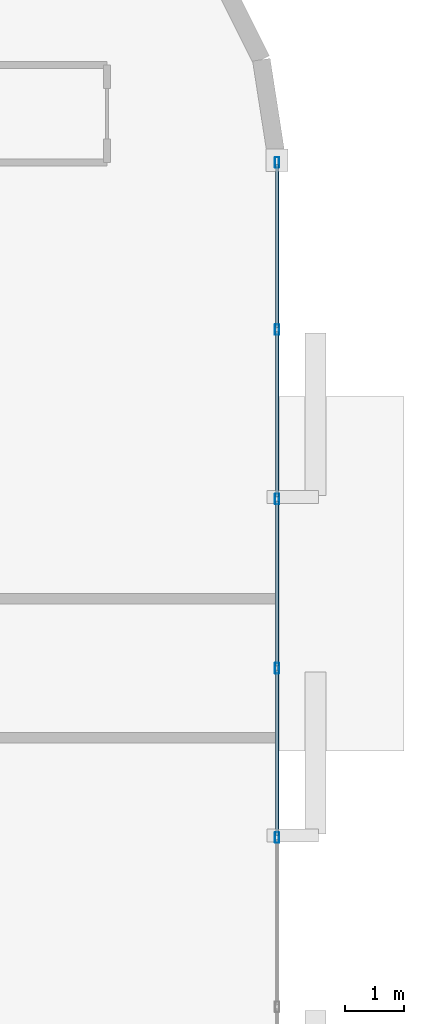
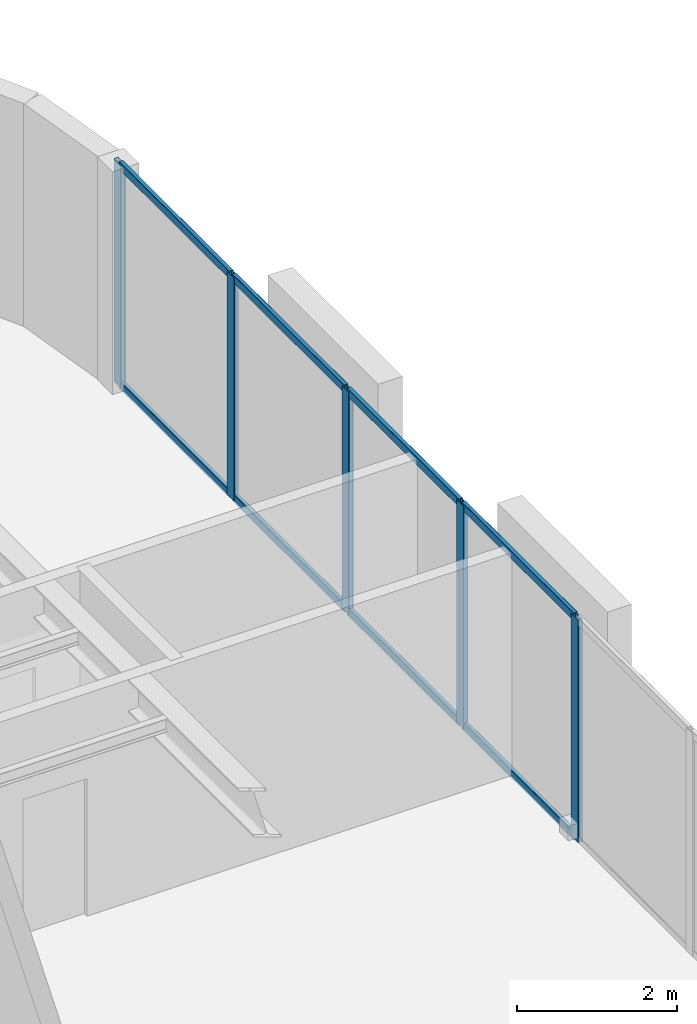
# One storey, part 6 of 16: 13 members, 1 element without a shape of its own.
"""IFC4 building model written with IfcOpenShell, lengths in metres."""

from ifc_helpers import new_model, si_unit, direction, frame, origin, origin_2d, place, context, subcontext, project, spatial, hollow_rectangle, extrude, material, layer, layer_set, material_profile, profile_set, type_object, element, aggregate, save


model = new_model("IFC4")

# Units and contexts
model_context = context("Model", 3, precision=1e-05, world=origin(), true_north=direction((0.0, 1.0)))
body_context = subcontext(model_context, "Body", "Model", "MODEL_VIEW")
ifc_project = project(units=[si_unit("LENGTHUNIT", "METRE"), si_unit("AREAUNIT", "SQUARE_METRE"), si_unit("VOLUMEUNIT", "CUBIC_METRE"), si_unit("PLANEANGLEUNIT", "RADIAN"), si_unit("MASSUNIT", "GRAM", prefix="KILO")], contexts=[model_context])

# Site, building, storey
site_placement = place(None, origin())
site = spatial("IfcSite", under=ifc_project, at=site_placement, CompositionType="ELEMENT")
building_placement = place(site_placement, origin())
building = spatial("IfcBuilding", under=site, at=building_placement, Name="An Khanh Terracotta Commons", CompositionType="ELEMENT")
storey_placement = place(building_placement, frame((0.0, 0.0, 97.10009765625)))
storey = spatial("IfcBuildingStorey", under=building, at=storey_placement, Name="L25", CompositionType="ELEMENT", Elevation=97.10009765625)

# Curtain wall, members
ifc_material = material(Name="Anodised Aluminium 6063-T6", Category="aluminium")
ifc_layer = layer(ifc_material, 0.199951171875, Name="Anodised Aluminium 6063-T6")
ifc_layer_set = layer_set([ifc_layer], Name="Anodised Aluminium 6063-T6")
curtain_wall_type = type_object("IfcCurtainWallType", Name="CW-SYS-02", PredefinedType="USERDEFINED", material=ifc_layer_set)
curtain_wall_placement = place(storey_placement, origin())
curtain_wall = element("IfcCurtainWall", 1, at=curtain_wall_placement, inside=storey, type_object=curtain_wall_type, Name="L25 CW-02 Unitised Curtain Wall CW-L25-12", ObjectType="UNITISED CURTAIN WALL", PredefinedType="USERDEFINED")
ifc_material_profile_1 = material_profile(ifc_material, hollow_rectangle(XDim=0.070068359375, YDim=0.179931640625, WallThickness=0.00390625, InnerFilletRadius=0.00390625, OuterFilletRadius=0.008056640625, at=origin_2d()), Name="RHS180x70x4")
ifc_profile_set_1 = profile_set([ifc_material_profile_1], Name="Anodised Aluminium 6063-T6")
member_type_1 = type_object("IfcMemberType", Name="CWM-RHS180x70x4", PredefinedType="MULLION", material=ifc_profile_set_1)
member_1_placement = place(storey_placement, frame((57.39990234375, 21.13330078125, 0.0), z_axis=(0.0, 0.0, 1.0), x_axis=(-1.0, 0.0, 0.0)))
member_1 = element("IfcMember", 2, at=member_1_placement, type_object=member_type_1, Name="CW-02 mullion 3", PredefinedType="MULLION", context=body_context, shape_type="SweptSolid", body=[
    extrude(hollow_rectangle(XDim=0.070068359375, YDim=0.179931640625, WallThickness=0.00390625, InnerFilletRadius=0.00390625, OuterFilletRadius=0.008056640625, at=origin_2d()), origin(), (0.0, 0.0, 1.0), 3.39990234375),
])
member_2_placement = place(storey_placement, frame((57.39990234375, 24.0, 0.0), z_axis=(0.0, 0.0, 1.0), x_axis=(-1.0, 0.0, 0.0)))
member_2 = element("IfcMember", 3, at=member_2_placement, type_object=member_type_1, Name="CW-02 mullion 4", PredefinedType="MULLION", context=body_context, shape_type="SweptSolid", body=[
    extrude(hollow_rectangle(XDim=0.070068359375, YDim=0.179931640625, WallThickness=0.00390625, InnerFilletRadius=0.00390625, OuterFilletRadius=0.008056640625, at=origin_2d()), origin(), (0.0, 0.0, 1.0), 3.39990234375),
])
member_3_placement = place(storey_placement, frame((57.39990234375, 26.86669921875, 0.0), z_axis=(0.0, 0.0, 1.0), x_axis=(-1.0, 0.0, 0.0)))
member_3 = element("IfcMember", 4, at=member_3_placement, type_object=member_type_1, Name="CW-02 mullion 5", PredefinedType="MULLION", context=body_context, shape_type="SweptSolid", body=[
    extrude(hollow_rectangle(XDim=0.070068359375, YDim=0.179931640625, WallThickness=0.00390625, InnerFilletRadius=0.00390625, OuterFilletRadius=0.008056640625, at=origin_2d()), origin(), (0.0, 0.0, 1.0), 3.39990234375),
])
member_4_placement = place(storey_placement, frame((57.39990234375, 29.7333984375, 0.0), z_axis=(0.0, 0.0, 1.0), x_axis=(-1.0, 0.0, 0.0)))
member_4 = element("IfcMember", 5, at=member_4_placement, type_object=member_type_1, Name="CW-02 mullion 6", PredefinedType="MULLION", context=body_context, shape_type="SweptSolid", body=[
    extrude(hollow_rectangle(XDim=0.070068359375, YDim=0.179931640625, WallThickness=0.00390625, InnerFilletRadius=0.00390625, OuterFilletRadius=0.008056640625, at=origin_2d()), origin(), (0.0, 0.0, 1.0), 3.39990234375),
])
member_5_placement = place(storey_placement, frame((57.39990234375, 32.56494140625, 0.0), z_axis=(0.0, 0.0, 1.0), x_axis=(-1.0, 0.0, 0.0)))
member_5 = element("IfcMember", 6, at=member_5_placement, type_object=member_type_1, Name="CW-02 mullion 7", PredefinedType="MULLION", context=body_context, shape_type="SweptSolid", body=[
    extrude(hollow_rectangle(XDim=0.070068359375, YDim=0.179931640625, WallThickness=0.00390625, InnerFilletRadius=0.00390625, OuterFilletRadius=0.008056640625, at=origin_2d()), origin(), (0.0, 0.0, 1.0), 3.39990234375),
])
ifc_material_profile_2 = material_profile(ifc_material, hollow_rectangle(XDim=0.06005859375, YDim=0.1201171875, WallThickness=0.003662109375, InnerFilletRadius=0.003662109375, OuterFilletRadius=0.007080078125, at=origin_2d()), Name="RHS120x60x3.6")
ifc_profile_set_2 = profile_set([ifc_material_profile_2], Name="Anodised Aluminium 6063-T6")
member_type_2 = type_object("IfcMemberType", Name="CWT-RHS120x60x3.6", PredefinedType="USERDEFINED", material=ifc_profile_set_2)
member_6_placement = place(storey_placement, frame((57.39990234375, 21.168212890625, 0.02978515625), z_axis=(0.0, 1.0, 0.0), x_axis=(-1.0, 0.0, 0.0)))
member_6 = element("IfcMember", 7, at=member_6_placement, type_object=member_type_2, Name="CW-02 transom 3.1", ObjectType="TRANSOM", PredefinedType="USERDEFINED", context=body_context, shape_type="SweptSolid", body=[
    extrude(hollow_rectangle(XDim=0.06005859375, YDim=0.1201171875, WallThickness=0.003662109375, InnerFilletRadius=0.003662109375, OuterFilletRadius=0.007080078125, at=origin_2d()), origin(), (0.0, 0.0, 1.0), 2.796875),
])
member_7_placement = place(storey_placement, frame((57.39990234375, 21.168212890625, 3.369873046875), z_axis=(0.0, 1.0, 0.0), x_axis=(-1.0, 0.0, 0.0)))
member_7 = element("IfcMember", 8, at=member_7_placement, type_object=member_type_2, Name="CW-02 transom 3.2", ObjectType="TRANSOM", PredefinedType="USERDEFINED", context=body_context, shape_type="SweptSolid", body=[
    extrude(hollow_rectangle(XDim=0.06005859375, YDim=0.1201171875, WallThickness=0.003662109375, InnerFilletRadius=0.003662109375, OuterFilletRadius=0.007080078125, at=origin_2d()), origin(), (0.0, 0.0, 1.0), 2.796875),
])
member_8_placement = place(storey_placement, frame((57.39990234375, 24.034912109375, 0.02978515625), z_axis=(0.0, 1.0, 0.0), x_axis=(-1.0, 0.0, 0.0)))
member_8 = element("IfcMember", 9, at=member_8_placement, type_object=member_type_2, Name="CW-02 transom 4.1", ObjectType="TRANSOM", PredefinedType="USERDEFINED", context=body_context, shape_type="SweptSolid", body=[
    extrude(hollow_rectangle(XDim=0.06005859375, YDim=0.1201171875, WallThickness=0.003662109375, InnerFilletRadius=0.003662109375, OuterFilletRadius=0.007080078125, at=origin_2d()), origin(), (0.0, 0.0, 1.0), 2.796875),
])
member_9_placement = place(storey_placement, frame((57.39990234375, 24.034912109375, 3.369873046875), z_axis=(0.0, 1.0, 0.0), x_axis=(-1.0, 0.0, 0.0)))
member_9 = element("IfcMember", 10, at=member_9_placement, type_object=member_type_2, Name="CW-02 transom 4.2", ObjectType="TRANSOM", PredefinedType="USERDEFINED", context=body_context, shape_type="SweptSolid", body=[
    extrude(hollow_rectangle(XDim=0.06005859375, YDim=0.1201171875, WallThickness=0.003662109375, InnerFilletRadius=0.003662109375, OuterFilletRadius=0.007080078125, at=origin_2d()), origin(), (0.0, 0.0, 1.0), 2.796875),
])
member_10_placement = place(storey_placement, frame((57.39990234375, 26.901611328125, 0.02978515625), z_axis=(0.0, 1.0, 0.0), x_axis=(-1.0, 0.0, 0.0)))
member_10 = element("IfcMember", 11, at=member_10_placement, type_object=member_type_2, Name="CW-02 transom 5.1", ObjectType="TRANSOM", PredefinedType="USERDEFINED", context=body_context, shape_type="SweptSolid", body=[
    extrude(hollow_rectangle(XDim=0.06005859375, YDim=0.1201171875, WallThickness=0.003662109375, InnerFilletRadius=0.003662109375, OuterFilletRadius=0.007080078125, at=origin_2d()), origin(), (0.0, 0.0, 1.0), 2.796630859375),
])
member_11_placement = place(storey_placement, frame((57.39990234375, 26.901611328125, 3.369873046875), z_axis=(0.0, 1.0, 0.0), x_axis=(-1.0, 0.0, 0.0)))
member_11 = element("IfcMember", 12, at=member_11_placement, type_object=member_type_2, Name="CW-02 transom 5.2", ObjectType="TRANSOM", PredefinedType="USERDEFINED", context=body_context, shape_type="SweptSolid", body=[
    extrude(hollow_rectangle(XDim=0.06005859375, YDim=0.1201171875, WallThickness=0.003662109375, InnerFilletRadius=0.003662109375, OuterFilletRadius=0.007080078125, at=origin_2d()), origin(), (0.0, 0.0, 1.0), 2.796630859375),
])
member_12_placement = place(storey_placement, frame((57.39990234375, 29.768310546875, 0.02978515625), z_axis=(0.0, 1.0, 0.0), x_axis=(-1.0, 0.0, 0.0)))
member_12 = element("IfcMember", 13, at=member_12_placement, type_object=member_type_2, Name="CW-02 transom 6.1", ObjectType="TRANSOM", PredefinedType="USERDEFINED", context=body_context, shape_type="SweptSolid", body=[
    extrude(hollow_rectangle(XDim=0.06005859375, YDim=0.1201171875, WallThickness=0.003662109375, InnerFilletRadius=0.003662109375, OuterFilletRadius=0.007080078125, at=origin_2d()), origin(), (0.0, 0.0, 1.0), 2.76171875),
])
member_13_placement = place(storey_placement, frame((57.39990234375, 29.768310546875, 3.369873046875), z_axis=(0.0, 1.0, 0.0), x_axis=(-1.0, 0.0, 0.0)))
member_13 = element("IfcMember", 14, at=member_13_placement, type_object=member_type_2, Name="CW-02 transom 6.2", ObjectType="TRANSOM", PredefinedType="USERDEFINED", context=body_context, shape_type="SweptSolid", body=[
    extrude(hollow_rectangle(XDim=0.06005859375, YDim=0.1201171875, WallThickness=0.003662109375, InnerFilletRadius=0.003662109375, OuterFilletRadius=0.007080078125, at=origin_2d()), origin(), (0.0, 0.0, 1.0), 2.76171875),
])
aggregate(curtain_wall, [member_1, member_2, member_3, member_4, member_5, member_6, member_7, member_8, member_9, member_10, member_11, member_12, member_13])

save(model, "model.ifc")
